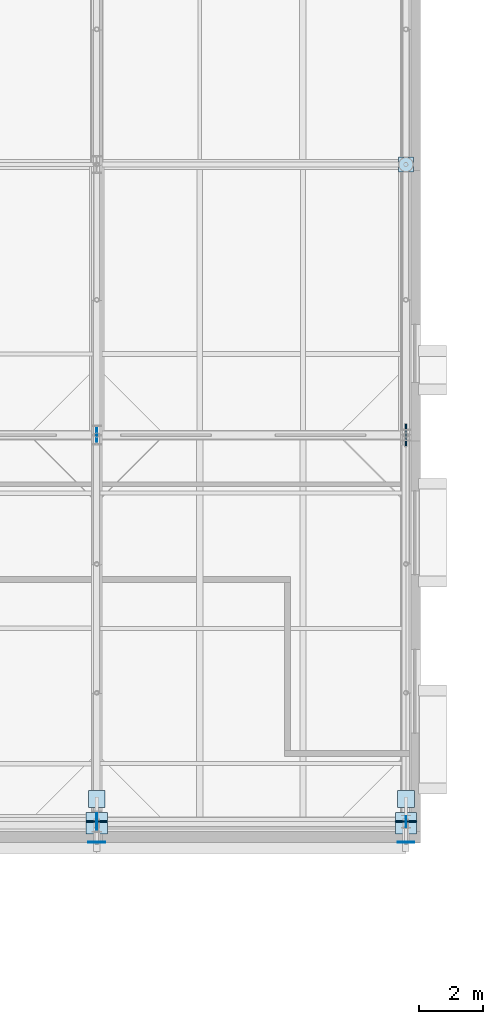
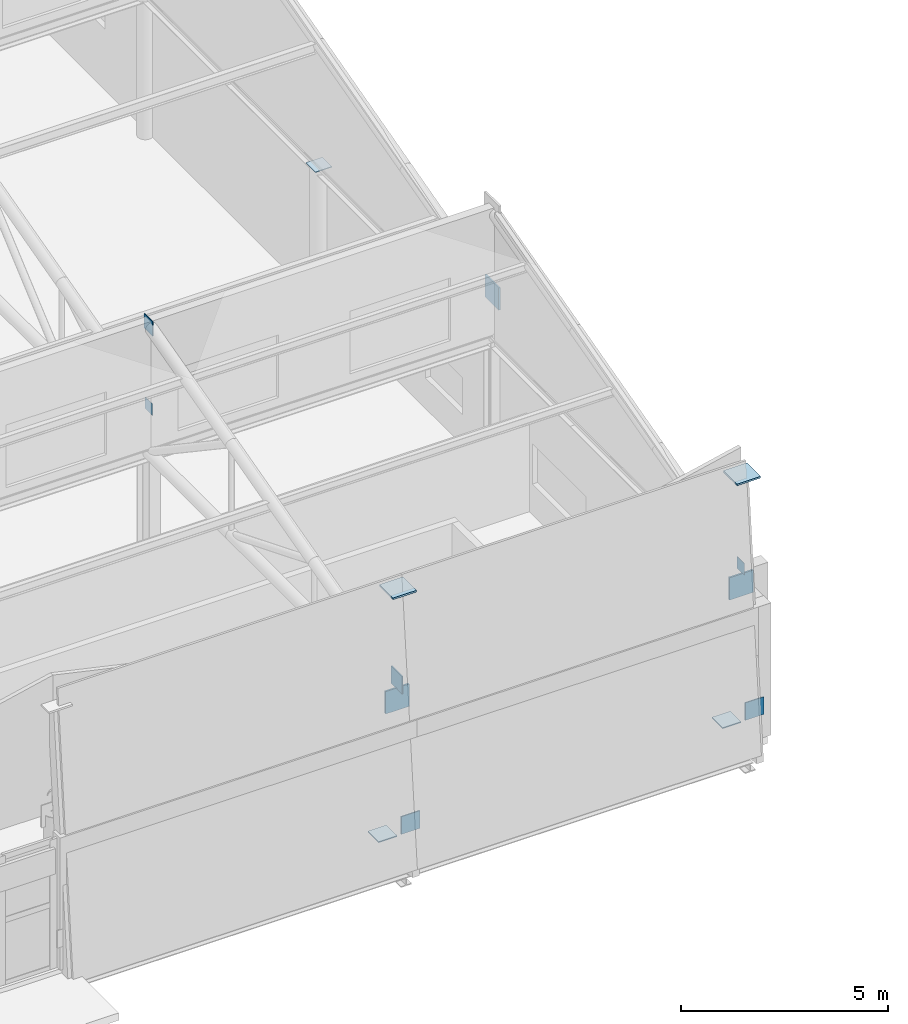
# One storey, part 74 of 89: 14 plates.
"""IFC4 building model written with IfcOpenShell, lengths in metres."""

from ifc_helpers import new_model, si_unit, direction, frame, origin, origin_2d, place, context, subcontext, project, spatial, rectangle, extrude, material, layer, layer_set, type_object, element, save


model = new_model("IFC4")

# Units and contexts
model_context = context("Model", 3, precision=1e-05, world=origin(), true_north=direction((0.0, 1.0)))
body_context = subcontext(model_context, "Body", "Model", "MODEL_VIEW")
ifc_project = project(units=[si_unit("LENGTHUNIT", "METRE"), si_unit("AREAUNIT", "SQUARE_METRE"), si_unit("VOLUMEUNIT", "CUBIC_METRE"), si_unit("PLANEANGLEUNIT", "RADIAN"), si_unit("MASSUNIT", "GRAM", prefix="KILO")], contexts=[model_context])

# Site, building, storey
site_placement = place(None, origin())
site = spatial("IfcSite", under=ifc_project, at=site_placement, CompositionType="ELEMENT")
building_placement = place(site_placement, origin())
building = spatial("IfcBuilding", under=site, at=building_placement, Name="Zereglee Splitstone Museum", CompositionType="ELEMENT")
storey_placement = place(building_placement, frame((0.0, 0.0, 21.300048828125)))
storey = spatial("IfcBuildingStorey", under=building, at=storey_placement, Name="L04", CompositionType="ELEMENT", Elevation=21.300048828125)

# Plates
ifc_material = material(Name="Steel S355J2", Category="steel")
ifc_layer_1 = layer(ifc_material, 0.02001953125)
ifc_layer_set_1 = layer_set([ifc_layer_1], Name="Steel S355J2")
plate_type_1 = type_object("IfcPlateType", Name="EC-01", PredefinedType="SHEET", material=ifc_layer_set_1)
plate_1_placement = place(storey_placement, frame((145.199951171875, 30.0, 4.199951171875), z_axis=(0.0, 0.0, 1.0), x_axis=(1.0, 0.0, 0.0)))
element("IfcPlate", 1, at=plate_1_placement, inside=storey, type_object=plate_type_1, Name="Hollow Column End-Cap Plate EC-01 (145.2,30.0)", PredefinedType="SHEET", context=body_context, shape_type="SweptSolid", body=[
    extrude(rectangle(XDim=0.4599609375, YDim=0.4599609375, at=origin_2d()), origin(), (0.0, 0.0, 1.0), 0.02001953125),
])
ifc_layer_2 = layer(ifc_material, 0.011962890625)
ifc_layer_set_2 = layer_set([ifc_layer_2], Name="Steel S355J2")
plate_type_2 = type_object("IfcPlateType", Name="NP-06", PredefinedType="SHEET", material=ifc_layer_set_2)
for number, where, z_axis, x_axis, name in (
    (2, (135.60009765625, 21.60009765625, 5.3798828125), (0.0, 0.0, 1.0), (1.0, 0.0, 0.0), "Sawtooth Truss Node Plate TN-07-2.0"),
    (3, (145.199951171875, 9.60009765625, 4.580078125), (0.0, 0.0, 1.0), (1.0, 0.0, 0.0), "Sawtooth Truss Node Plate TN-08-1.0"),
):
    element("IfcPlate", number, at=place(storey_placement, frame(where, z_axis=z_axis, x_axis=x_axis)), inside=storey, type_object=plate_type_2, Name=name, PredefinedType="SHEET", context=body_context, shape_type="SweptSolid", body=[
        extrude(rectangle(XDim=0.011962890625, YDim=0.340087890625, at=origin_2d()), origin(), (0.0, 0.0, 1.0), 0.340087890625),
    ])
ifc_layer_3 = layer(ifc_material, 0.02001953125)
ifc_layer_set_3 = layer_set([ifc_layer_3], Name="Steel S355J2")
plate_type_3 = type_object("IfcPlateType", Name="NP-05", PredefinedType="SHEET", material=ifc_layer_set_3)
plate_2_placement = place(storey_placement, frame((135.60009765625, 21.60009765625, 7.739990234375), z_axis=(0.0, 0.0, 1.0), x_axis=(1.0, 0.0, 0.0)))
element("IfcPlate", 4, at=plate_2_placement, inside=storey, type_object=plate_type_3, Name="Sawtooth Truss Node Plate TN-07-1.3", PredefinedType="SHEET", context=body_context, shape_type="SweptSolid", body=[
    extrude(rectangle(XDim=0.02001953125, YDim=0.419921875, at=origin_2d()), origin(), (0.0, 0.0, 1.0), 0.419921875),
])
ifc_layer_4 = layer(ifc_material, 0.030029296875)
ifc_layer_set_4 = layer_set([ifc_layer_4], Name="Steel S355J2")
plate_type_4 = type_object("IfcPlateType", Name="NP-04", PredefinedType="SHEET", material=ifc_layer_set_4)
plate_3_placement = place(storey_placement, frame((135.60009765625, 9.60009765625, 4.489990234375), z_axis=(0.0, 0.0, 1.0), x_axis=(1.0, 0.0, 0.0)))
element("IfcPlate", 5, at=plate_3_placement, inside=storey, type_object=plate_type_4, Name="Sawtooth Truss Node Plate TN-07-1.0", PredefinedType="SHEET", context=body_context, shape_type="SweptSolid", body=[
    extrude(rectangle(XDim=0.030029296875, YDim=0.52001953125, at=origin_2d()), origin(), (0.0, 0.0, 1.0), 0.52001953125),
])
plate_4_placement = place(storey_placement, frame((135.60009765625, 10.300048828125, -0.23486328125), z_axis=(0.0, 0.0, 1.0), x_axis=(1.0, 0.0, 0.0)))
element("IfcPlate", 6, at=plate_4_placement, inside=storey, type_object=plate_type_4, Name="Facet Tie Seal Plate FH-V2SE", PredefinedType="SHEET", context=body_context, shape_type="SweptSolid", body=[
    extrude(rectangle(XDim=0.52001953125, YDim=0.52001953125, at=origin_2d()), origin(), (0.0, 0.0, 1.0), 0.030029296875),
])
plate_5_placement = place(storey_placement, frame((135.60009765625, 8.95556640625, 0.679931640625), z_axis=(0.0, 0.0, 1.0), x_axis=(1.0, 0.0, 0.0)))
element("IfcPlate", 7, at=plate_5_placement, inside=storey, type_object=plate_type_4, Name="Facet Tie Seal Plate FH-V2SE", PredefinedType="SHEET", context=body_context, shape_type="SweptSolid", body=[
    extrude(rectangle(XDim=0.52001953125, YDim=0.030029296875, at=origin_2d()), origin(), (0.0, 0.0, 1.0), 0.52001953125),
])
plate_6_placement = place(storey_placement, frame((145.199951171875, 10.300048828125, -0.23486328125), z_axis=(0.0, 0.0, 1.0), x_axis=(1.0, 0.0, 0.0)))
element("IfcPlate", 8, at=plate_6_placement, inside=storey, type_object=plate_type_4, Name="Facet Tie Seal Plate FH-V2SE", PredefinedType="SHEET", context=body_context, shape_type="SweptSolid", body=[
    extrude(rectangle(XDim=0.52001953125, YDim=0.52001953125, at=origin_2d()), origin(), (0.0, 0.0, 1.0), 0.030029296875),
])
plate_7_placement = place(storey_placement, frame((145.199951171875, 8.95556640625, 0.679931640625), z_axis=(0.0, 0.0, 1.0), x_axis=(1.0, 0.0, 0.0)))
element("IfcPlate", 9, at=plate_7_placement, inside=storey, type_object=plate_type_4, Name="Facet Tie Seal Plate FH-V2SE", PredefinedType="SHEET", context=body_context, shape_type="SweptSolid", body=[
    extrude(rectangle(XDim=0.52001953125, YDim=0.030029296875, at=origin_2d()), origin(), (0.0, 0.0, 1.0), 0.52001953125),
])
ifc_layer_5 = layer(ifc_material, 0.050048828125)
ifc_layer_set_5 = layer_set([ifc_layer_5], Name="Steel S355J2")
plate_type_5 = type_object("IfcPlateType", Name="NP-02", PredefinedType="SHEET", material=ifc_layer_set_5)
plate_8_placement = place(storey_placement, frame((135.60009765625, 9.60009765625, 3.8701171875), z_axis=(0.0, 0.0, 1.0), x_axis=(1.0, 0.0, 0.0)))
element("IfcPlate", 10, at=plate_8_placement, inside=storey, type_object=plate_type_5, Name="Sawtooth Bottom Chord End Cap ST-07", PredefinedType="SHEET", context=body_context, shape_type="SweptSolid", body=[
    extrude(rectangle(XDim=0.659912109375, YDim=0.050048828125, at=origin_2d()), origin(), (0.0, 0.0, 1.0), 0.659912109375),
])
plate_9_placement = place(storey_placement, frame((145.199951171875, 21.60009765625, 5.22021484375), z_axis=(0.0, 0.0, 1.0), x_axis=(1.0, 0.0, 0.0)))
element("IfcPlate", 11, at=plate_9_placement, inside=storey, type_object=plate_type_5, Name="Sawtooth Truss Node Plate TN-08-2.0", PredefinedType="SHEET", context=body_context, shape_type="SweptSolid", body=[
    extrude(rectangle(XDim=0.050048828125, YDim=0.659912109375, at=origin_2d()), origin(), (0.0, 0.0, 1.0), 0.659912109375),
])
plate_10_placement = place(storey_placement, frame((145.199951171875, 9.60009765625, 3.8701171875), z_axis=(0.0, 0.0, 1.0), x_axis=(1.0, 0.0, 0.0)))
element("IfcPlate", 12, at=plate_10_placement, inside=storey, type_object=plate_type_5, Name="Sawtooth Bottom Chord End Cap ST-08", PredefinedType="SHEET", context=body_context, shape_type="SweptSolid", body=[
    extrude(rectangle(XDim=0.659912109375, YDim=0.050048828125, at=origin_2d()), origin(), (0.0, 0.0, 1.0), 0.659912109375),
])
for number, where, z_axis, x_axis, name in (
    (13, (135.60009765625, 9.552490234375, 7.455078125), (0.0, 0.0, 1.0), (1.0, 0.0, 0.0), "Facet Strut Seal Plate FH-V2SE"),
    (14, (145.199951171875, 9.552490234375, 7.455078125), (0.0, 0.0, 1.0), (1.0, 0.0, 0.0), "Facet Strut Seal Plate FH-V2SE"),
):
    element("IfcPlate", number, at=place(storey_placement, frame(where, z_axis=z_axis, x_axis=x_axis)), inside=storey, type_object=plate_type_5, Name=name, PredefinedType="SHEET", context=body_context, shape_type="SweptSolid", body=[
        extrude(rectangle(XDim=0.659912109375, YDim=0.659912109375, at=origin_2d()), origin(), (0.0, 0.0, 1.0), 0.050048828125),
    ])

save(model, "model.ifc")
